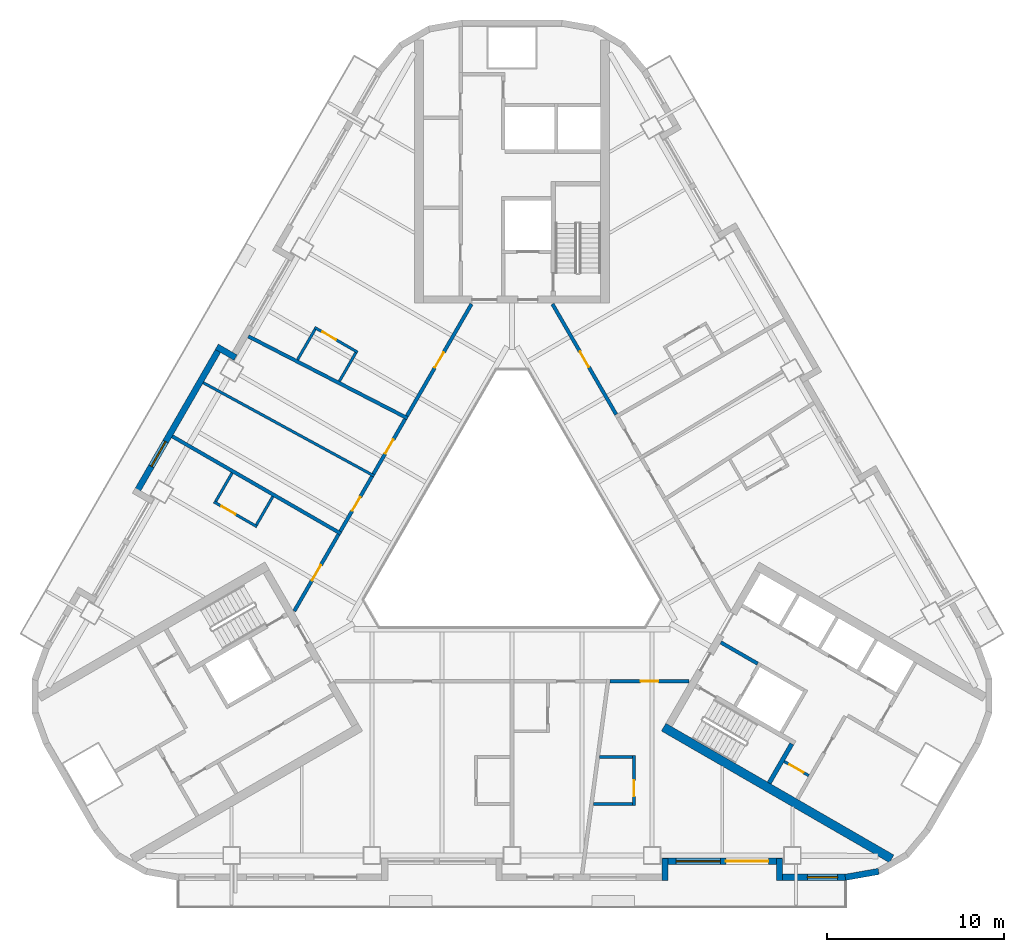
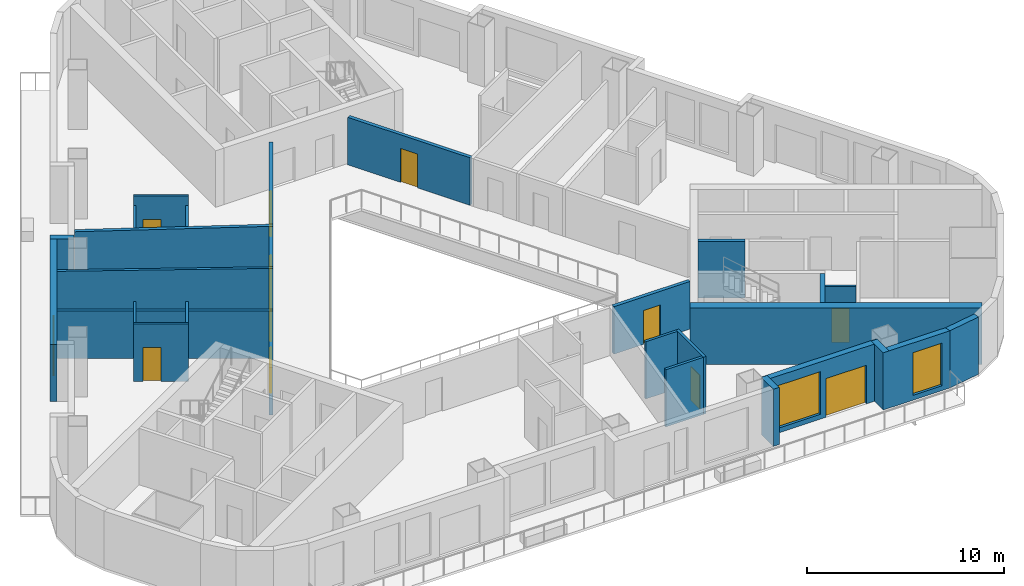
# One storey, part 4 of 13: 29 walls, 11 doors, 3 windows, 14 openings.
"""IFC4 building model written with IfcOpenShell, lengths in metres."""

from ifc_helpers import new_model, si_unit, direction, frame, frame_2d, origin, place, context, subcontext, project, spatial, rectangle, extrude, material, layer, layer_set, type_object, element, fill, save


model = new_model("IFC4")

# Units and contexts
model_context = context("Model", 3, precision=1e-05, world=origin(), true_north=direction((0.0, 1.0)))
body_context = subcontext(model_context, "Body", "Model", "MODEL_VIEW")
ifc_project = project(units=[si_unit("LENGTHUNIT", "METRE"), si_unit("AREAUNIT", "SQUARE_METRE"), si_unit("VOLUMEUNIT", "CUBIC_METRE"), si_unit("PLANEANGLEUNIT", "RADIAN"), si_unit("MASSUNIT", "GRAM", prefix="KILO")], contexts=[model_context])

# Site, building, storey
site_placement = place(None, origin())
site = spatial("IfcSite", under=ifc_project, at=site_placement, CompositionType="ELEMENT")
building_placement = place(site_placement, origin())
building = spatial("IfcBuilding", under=site, at=building_placement, Name="Apuvela Tower Hotel", CompositionType="ELEMENT")
storey_placement = place(building_placement, frame((0.0, 0.0, 65.0)))
storey = spatial("IfcBuildingStorey", under=building, at=storey_placement, Name="L13", CompositionType="ELEMENT", Elevation=65.0)

# Wall
ifc_material_1 = material(Name="Concrete C50/60", Category="concrete")
ifc_layer_1 = layer(ifc_material_1, 0.5)
ifc_layer_set_1 = layer_set([ifc_layer_1], Name="COR-WALL-CORE-500")
wall_type_1 = type_object("IfcWallType", Name="COR-WALL-CORE-500", PredefinedType="SHEAR", material=ifc_layer_set_1)
wall_1_placement = place(storey_placement, frame((8.546630859375, -10.99658203125, 0.0), z_axis=(0.0, 0.0, 1.0), x_axis=(0.866025009528, -0.500000682871, 0.0)))
element("IfcWall", 1, at=wall_1_placement, inside=storey, type_object=wall_type_1, Name="Core wall SE", PredefinedType="SHEAR", context=body_context, shape_type="SweptSolid", body=[
    extrude(rectangle(XDim=14.8369140625, YDim=0.5, at=frame_2d((7.41845703125, 0.0))), origin(), (0.0, 0.0, 1.0), 3.5),
])

# Wall, opening, door
ifc_material_2 = material(Name="Blockwork 150 mm plastered", Category="masonry")
ifc_layer_2 = layer(ifc_material_2, 0.14990234375)
ifc_layer_set_2 = layer_set([ifc_layer_2], Name="COR-WALL-PART-150")
wall_type_2 = type_object("IfcWallType", Name="COR-WALL-PART-150", PredefinedType="PARTITIONING", material=ifc_layer_set_2)
wall_2_placement = place(storey_placement, frame((15.341552734375, -12.927734375, 0.0), z_axis=(0.0, 0.0, 1.0), x_axis=(0.865989903783, -0.500061482766, 0.0)))
wall_2 = element("IfcWall", 2, at=wall_2_placement, inside=storey, type_object=wall_type_2, Name="Partition SE", PredefinedType="PARTITIONING", context=body_context, shape_type="SweptSolid", body=[
    extrude(rectangle(XDim=1.599853515625, YDim=0.14990234375, at=frame_2d((0.7998046875, 0.0))), origin(), (0.0, 0.0, 1.0), 3.5),
])
opening_1_placement = place(wall_2_placement, frame((0.35009765625, 0.0, 0.0)))
opening_1 = element("IfcOpeningElement", 3, at=opening_1_placement, cuts=wall_2, Name="Opening E-RD", PredefinedType="OPENING", context=body_context, shape_type="SweptSolid", body=[
    extrude(rectangle(XDim=0.89990234375, YDim=2.10009765625, at=frame_2d((0.449951171875, 1.050048828125))), frame((0.0, 0.0849609375, 0.0), z_axis=(0.0, -1.0, 0.0), x_axis=(1.0, 0.0, 0.0)), (0.0, 0.0, 1.0), 0.169921875),
])
ifc_material_3 = material(Name="Steel access door, powder coated", Category="steel")
door_type_1 = type_object("IfcDoorType", Name="COR-RD-900", OperationType="NOTDEFINED", PredefinedType="DOOR", material=ifc_material_3)
door_1_placement = place(opening_1_placement, frame((0.89990234375, 0.0, 0.0), z_axis=(0.0, 0.0, 1.0), x_axis=(-1.0, 0.0, 0.0)))
door_1 = element("IfcDoor", 4, at=door_1_placement, inside=storey, type_object=door_type_1, Name="Riser door E-RD", OperationType="SINGLE_SWING_LEFT", OverallHeight=2.10009765625, OverallWidth=0.89990234375, PredefinedType="DOOR", context=body_context, shape_type="SweptSolid", body=[
    extrude(rectangle(XDim=0.89990234375, YDim=2.10009765625, at=frame_2d((0.449951171875, 1.050048828125))), frame((0.0, 0.02490234375, 0.0), z_axis=(0.0, -1.0, 0.0), x_axis=(1.0, 0.0, 0.0)), (0.0, 0.0, 1.0), 0.050048828125),
])
fill(opening_1, door_1)

# Walls
ifc_layer_3 = layer(ifc_material_1, 0.199951171875)
ifc_layer_set_3 = layer_set([ifc_layer_3], Name="COR-WALL-SHAFT-200")
wall_type_3 = type_object("IfcWallType", Name="COR-WALL-SHAFT-200", PredefinedType="SHEAR", material=ifc_layer_set_3)
wall_3_placement = place(storey_placement, frame((11.76806640625, -6.217041015625, 0.0), z_axis=(0.0, 0.0, 1.0), x_axis=(0.866050077142, -0.499957262057, 0.0)))
element("IfcWall", 5, at=wall_3_placement, inside=storey, type_object=wall_type_3, Name="Shaft wall SE", PredefinedType="SHEAR", context=body_context, shape_type="SweptSolid", body=[
    extrude(rectangle(XDim=2.400146484375, YDim=0.199951171875, at=frame_2d((1.2001953125, 0.0))), origin(), (0.0, 0.0, 1.0), 3.5),
])
ifc_layer_4 = layer(ifc_material_1, 0.25)
ifc_layer_set_4 = layer_set([ifc_layer_4], Name="COR-WALL-STAIR-250")
wall_type_4 = type_object("IfcWallType", Name="COR-WALL-STAIR-250", PredefinedType="SHEAR", material=ifc_layer_set_4)
wall_4_placement = place(storey_placement, frame((14.49560546875, -14.142578125, 0.0), z_axis=(0.0, 0.0, 1.0), x_axis=(0.500062241894, 0.865989465428, 0.0)))
element("IfcWall", 6, at=wall_4_placement, inside=storey, type_object=wall_type_4, Name="Stair wall SE", PredefinedType="SHEAR", context=body_context, shape_type="SweptSolid", body=[
    extrude(rectangle(XDim=2.550048828125, YDim=0.25, at=frame_2d((1.27490234375, 0.0))), origin(), (0.0, 0.0, 1.0), 3.5),
])
ifc_material_4 = material(Name="Concrete C40/50, dark pigmented precast panel", Category="concrete")
ifc_layer_5 = layer(ifc_material_4, 0.35009765625)
ifc_layer_set_5 = layer_set([ifc_layer_5], Name="ENV-WALL-350")
wall_type_5 = type_object("IfcWallType", Name="ENV-WALL-350", PredefinedType="SOLIDWALL", material=ifc_layer_set_5)
wall_5_placement = place(storey_placement, frame((-15.580810546875, 9.8330078125, 0.0), z_axis=(0.0, 0.0, 1.0), x_axis=(-0.866055662726, 0.499947586314, 0.0)))
element("IfcWall", 7, at=wall_5_placement, inside=storey, type_object=wall_type_5, Name="External wall L13-04", PredefinedType="SOLIDWALL", context=body_context, shape_type="SweptSolid", body=[
    extrude(rectangle(XDim=1.220458984375, YDim=0.35009765625, at=frame_2d((0.6103515625, 0.0))), origin(), (0.0, 0.0, 1.0), 3.550048828125),
])

# Wall, opening, window
wall_6_placement = place(storey_placement, frame((-16.3984375, 10.507080078125, 0.0), z_axis=(0.0, 0.0, 1.0), x_axis=(-0.499999142773, -0.866025898704, 0.0)))
wall_6 = element("IfcWall", 8, at=wall_6_placement, inside=storey, type_object=wall_type_5, Name="External wall L13-05", PredefinedType="SOLIDWALL", context=body_context, shape_type="SweptSolid", body=[
    extrude(rectangle(XDim=9.7001953125, YDim=0.35009765625, at=frame_2d((4.85009765625, 0.0))), origin(), (0.0, 0.0, 1.0), 3.550048828125),
])
opening_2_placement = place(wall_6_placement, frame((6.25048828125, 0.0, 0.300048828125)))
opening_2 = element("IfcOpeningElement", 9, at=opening_2_placement, cuts=wall_6, Name="Opening WN16", PredefinedType="OPENING", context=body_context, shape_type="SweptSolid", body=[
    extrude(rectangle(XDim=1.60009765625, YDim=2.64990234375, at=frame_2d((0.800048828125, 1.324951171875))), frame((0.0, 0.18505859375, 0.0), z_axis=(0.0, -1.0, 0.0), x_axis=(1.0, 0.0, 0.0)), (0.0, 0.0, 1.0), 0.3701171875),
])
ifc_material_5 = material(Name="Glass, dark tinted laminated insulated glazing unit", Category="glass")
window_type_1 = type_object("IfcWindowType", Name="ENV-WIN-1600x2650", PartitioningType="SINGLE_PANEL", PredefinedType="WINDOW", material=ifc_material_5)
window_1_placement = place(opening_2_placement, origin())
window_1 = element("IfcWindow", 10, at=window_1_placement, inside=storey, type_object=window_type_1, Name="Window WN16", OverallHeight=2.64990234375, OverallWidth=1.60009765625, PartitioningType="SINGLE_PANEL", PredefinedType="WINDOW", context=body_context, shape_type="SweptSolid", body=[
    extrude(rectangle(XDim=1.60009765625, YDim=2.64990234375, at=frame_2d((0.800048828125, 1.324951171875))), frame((0.0, 0.030029296875, 0.0), z_axis=(0.0, -1.0, 0.0), x_axis=(1.0, 0.0, 0.0)), (0.0, 0.0, 1.0), 0.06005859375),
])
fill(opening_2, window_1)

# Wall
wall_7_placement = place(storey_placement, frame((8.625, -19.6298828125, 0.0), z_axis=(0.0, 0.0, 1.0), x_axis=(0.0, 1.0, 0.0)))
element("IfcWall", 11, at=wall_7_placement, inside=storey, type_object=wall_type_5, Name="External wall L13-22", PredefinedType="SOLIDWALL", context=body_context, shape_type="SweptSolid", body=[
    extrude(rectangle(XDim=1.219970703125, YDim=0.35009765625, at=frame_2d((0.60986328125, 0.0))), origin(), (0.0, 0.0, 1.0), 3.550048828125),
])

# Wall, openings, door, window
wall_8_placement = place(storey_placement, frame((8.47998046875, -18.554931640625, 0.0), z_axis=(0.0, 0.0, 1.0), x_axis=(1.0, 0.0, 0.0)))
wall_8 = element("IfcWall", 12, at=wall_8_placement, inside=storey, type_object=wall_type_5, Name="External wall L13-23", PredefinedType="SOLIDWALL", context=body_context, shape_type="SweptSolid", body=[
    extrude(rectangle(XDim=6.739990234375, YDim=0.35009765625, at=frame_2d((3.3701171875, 0.0))), origin(), (0.0, 0.0, 1.0), 3.550048828125),
])
opening_3_placement = place(wall_8_placement, frame((3.570068359375, 0.0, 0.0)))
opening_3 = element("IfcOpeningElement", 13, at=opening_3_placement, cuts=wall_8, Name="Opening BD24", PredefinedType="OPENING", context=body_context, shape_type="SweptSolid", body=[
    extrude(rectangle(XDim=2.39990234375, YDim=2.39990234375, at=frame_2d((1.199951171875, 1.199951171875))), frame((0.0, 0.18505859375, 0.0), z_axis=(0.0, -1.0, 0.0), x_axis=(1.0, 0.0, 0.0)), (0.0, 0.0, 1.0), 0.3701171875),
])
opening_4_placement = place(wall_8_placement, frame((0.77001953125, 0.0, 0.300048828125)))
opening_4 = element("IfcOpeningElement", 14, at=opening_4_placement, cuts=wall_8, Name="Opening WN25", PredefinedType="OPENING", context=body_context, shape_type="SweptSolid", body=[
    extrude(rectangle(XDim=2.5, YDim=2.64990234375, at=frame_2d((1.25, 1.324951171875))), frame((0.0, 0.18505859375, 0.0), z_axis=(0.0, -1.0, 0.0), x_axis=(1.0, 0.0, 0.0)), (0.0, 0.0, 1.0), 0.3701171875),
])
ifc_material_6 = material(Name="Aluminium 6063-T6, dark bronze anodised frame with dark tinted laminated glass", Category="aluminium")
door_type_2 = type_object("IfcDoorType", Name="ENV-DOOR-BALCONY-2400x2400", OperationType="SLIDING_TO_LEFT", PredefinedType="DOOR", material=ifc_material_6)
door_2_placement = place(opening_3_placement, frame((2.39990234375, 0.0, 0.0), z_axis=(0.0, 0.0, 1.0), x_axis=(-1.0, 0.0, 0.0)))
door_2 = element("IfcDoor", 15, at=door_2_placement, inside=storey, type_object=door_type_2, Name="Balcony door BD24", OperationType="SLIDING_TO_LEFT", OverallHeight=2.39990234375, OverallWidth=2.39990234375, PredefinedType="DOOR", context=body_context, shape_type="SweptSolid", body=[
    extrude(rectangle(XDim=2.39990234375, YDim=2.39990234375, at=frame_2d((1.199951171875, 1.199951171875))), frame((0.0, 0.02490234375, 0.0), z_axis=(0.0, -1.0, 0.0), x_axis=(1.0, 0.0, 0.0)), (0.0, 0.0, 1.0), 0.050048828125),
])
fill(opening_3, door_2)
window_type_2 = type_object("IfcWindowType", Name="ENV-WIN-2500x2650", PartitioningType="SINGLE_PANEL", PredefinedType="WINDOW", material=ifc_material_5)
window_2_placement = place(opening_4_placement, origin())
window_2 = element("IfcWindow", 16, at=window_2_placement, inside=storey, type_object=window_type_2, Name="Window WN25", OverallHeight=2.64990234375, OverallWidth=2.5, PartitioningType="SINGLE_PANEL", PredefinedType="WINDOW", context=body_context, shape_type="SweptSolid", body=[
    extrude(rectangle(XDim=2.5, YDim=2.64990234375, at=frame_2d((1.25, 1.324951171875))), frame((0.0, 0.030029296875, 0.0), z_axis=(0.0, -1.0, 0.0), x_axis=(1.0, 0.0, 0.0)), (0.0, 0.0, 1.0), 0.06005859375),
])
fill(opening_4, window_2)

# Wall
wall_9_placement = place(storey_placement, frame((15.074951171875, -18.409912109375, 0.0), z_axis=(0.0, 0.0, 1.0), x_axis=(0.0, -1.0, 0.0)))
element("IfcWall", 17, at=wall_9_placement, inside=storey, type_object=wall_type_5, Name="External wall L13-24", PredefinedType="SOLIDWALL", context=body_context, shape_type="SweptSolid", body=[
    extrude(rectangle(XDim=1.219970703125, YDim=0.35009765625, at=frame_2d((0.60986328125, 0.0))), origin(), (0.0, 0.0, 1.0), 3.550048828125),
])

# Wall, opening, window
wall_10_placement = place(storey_placement, frame((14.89990234375, -19.455078125, 0.0), z_axis=(0.0, 0.0, 1.0), x_axis=(1.0, 0.0, 0.0)))
wall_10 = element("IfcWall", 18, at=wall_10_placement, inside=storey, type_object=wall_type_5, Name="External wall L13-25", PredefinedType="SOLIDWALL", context=body_context, shape_type="SweptSolid", body=[
    extrude(rectangle(XDim=3.916015625, YDim=0.35009765625, at=frame_2d((1.9580078125, 0.0))), origin(), (0.0, 0.0, 1.0), 3.550048828125),
])
opening_5_placement = place(wall_10_placement, frame((1.749755859375, 0.0, 0.300048828125)))
opening_5 = element("IfcOpeningElement", 19, at=opening_5_placement, cuts=wall_10, Name="Opening WN17", PredefinedType="OPENING", context=body_context, shape_type="SweptSolid", body=[
    extrude(rectangle(XDim=1.699951171875, YDim=2.64990234375, at=frame_2d((0.85009765625, 1.324951171875))), frame((0.0, 0.18505859375, 0.0), z_axis=(0.0, -1.0, 0.0), x_axis=(1.0, 0.0, 0.0)), (0.0, 0.0, 1.0), 0.3701171875),
])
window_type_3 = type_object("IfcWindowType", Name="ENV-WIN-1700x2650", PartitioningType="SINGLE_PANEL", PredefinedType="WINDOW", material=ifc_material_5)
window_3_placement = place(opening_5_placement, origin())
window_3 = element("IfcWindow", 20, at=window_3_placement, inside=storey, type_object=window_type_3, Name="Window WN17", OverallHeight=2.64990234375, OverallWidth=1.699951171875, PartitioningType="SINGLE_PANEL", PredefinedType="WINDOW", context=body_context, shape_type="SweptSolid", body=[
    extrude(rectangle(XDim=1.699951171875, YDim=2.64990234375, at=frame_2d((0.85009765625, 1.324951171875))), frame((0.0, 0.030029296875, 0.0), z_axis=(0.0, -1.0, 0.0), x_axis=(1.0, 0.0, 0.0)), (0.0, 0.0, 1.0), 0.06005859375),
])
fill(opening_5, window_3)

# Walls
wall_11_placement = place(storey_placement, frame((18.785400390625, -19.457763671875, 0.0), z_axis=(0.0, 0.0, 1.0), x_axis=(0.984798995425, 0.173697837091, 0.0)))
element("IfcWall", 21, at=wall_11_placement, inside=storey, type_object=wall_type_5, Name="External wall L13-26", PredefinedType="SOLIDWALL", context=body_context, shape_type="SweptSolid", body=[
    extrude(rectangle(XDim=1.91015625, YDim=0.35009765625, at=frame_2d((0.955078125, 0.0))), origin(), (0.0, 0.0, 1.0), 3.550048828125),
])
ifc_material_7 = material(Name="Gypsum board partition on twin steel stud", Category="steel")
ifc_layer_6 = layer(ifc_material_7, 0.199951171875)
ifc_layer_set_6 = layer_set([ifc_layer_6], Name="GST-PW1")
wall_type_6 = type_object("IfcWallType", Name="GST-PW1", PredefinedType="PARTITIONING", material=ifc_layer_set_6)
wall_12_placement = place(storey_placement, frame((-14.855712890625, 11.02880859375, 0.0), z_axis=(0.0, 0.0, 1.0), x_axis=(0.889105841633, -0.457701652142, 0.0)))
element("IfcWall", 22, at=wall_12_placement, inside=storey, type_object=wall_type_6, Name="L13 partition 05", PredefinedType="PARTITIONING", context=body_context, shape_type="SweptSolid", body=[
    extrude(rectangle(XDim=10.091552734375, YDim=0.199951171875, at=frame_2d((5.0458984375, 0.0))), origin(), (0.0, 0.0, 1.0), 2.9599609375),
])
wall_13_placement = place(storey_placement, frame((-19.14697265625, 5.396484375, 0.0), z_axis=(0.0, 0.0, 1.0), x_axis=(0.866027479907, -0.499996404033, 0.0)))
element("IfcWall", 23, at=wall_13_placement, inside=storey, type_object=wall_type_6, Name="L13 partition 06", PredefinedType="PARTITIONING", context=body_context, shape_type="SweptSolid", body=[
    extrude(rectangle(XDim=10.97998046875, YDim=0.199951171875, at=frame_2d((5.489990234375, 0.0))), origin(), (0.0, 0.0, 1.0), 2.9599609375),
])

# Wall, opening, door
ifc_material_8 = material(Name="Gypsum board corridor wall on twin steel stud, acoustic", Category="steel")
ifc_layer_7 = layer(ifc_material_8, 0.199951171875)
ifc_layer_set_7 = layer_set([ifc_layer_7], Name="GST-PW2")
wall_type_7 = type_object("IfcWallType", Name="GST-PW2", PredefinedType="PARTITIONING", material=ifc_layer_set_7)
wall_14_placement = place(storey_placement, frame((9.98828125, -8.39990234375, 0.0), z_axis=(0.0, 0.0, 1.0), x_axis=(-1.0, 0.0, 0.0)))
wall_14 = element("IfcWall", 24, at=wall_14_placement, inside=storey, type_object=wall_type_7, Name="L13 partition 14", PredefinedType="PARTITIONING", context=body_context, shape_type="SweptSolid", body=[
    extrude(rectangle(XDim=4.473876953125, YDim=0.199951171875, at=frame_2d((2.23681640625, 0.0))), origin(), (0.0, 0.0, 1.0), 2.949951171875),
])
opening_6_placement = place(wall_14_placement, frame((1.73681640625, 0.0, 0.0)))
opening_6 = element("IfcOpeningElement", 25, at=opening_6_placement, cuts=wall_14, Name="Opening GD03-06", PredefinedType="OPENING", context=body_context, shape_type="SweptSolid", body=[
    extrude(rectangle(XDim=1.0, YDim=2.10009765625, at=frame_2d((0.5, 1.050048828125))), frame((0.0, 0.10986328125, 0.0), z_axis=(0.0, -1.0, 0.0), x_axis=(1.0, 0.0, 0.0)), (0.0, 0.0, 1.0), 0.219970703125),
])
ifc_material_9 = material(Name="Timber door leaf in steel frame", Category="steel")
door_type_3 = type_object("IfcDoorType", Name="GST-D1", OperationType="NOTDEFINED", PredefinedType="DOOR", material=ifc_material_9)
door_3_placement = place(opening_6_placement, origin())
door_3 = element("IfcDoor", 26, at=door_3_placement, inside=storey, type_object=door_type_3, Name="Door L13-06", OperationType="SINGLE_SWING_RIGHT", OverallHeight=2.10009765625, OverallWidth=1.0, PredefinedType="DOOR", context=body_context, shape_type="SweptSolid", body=[
    extrude(rectangle(XDim=1.0, YDim=2.10009765625, at=frame_2d((0.5, 1.050048828125))), frame((0.0, 0.02490234375, 0.0), z_axis=(0.0, -1.0, 0.0), x_axis=(1.0, 0.0, 0.0)), (0.0, 0.0, 1.0), 0.050048828125),
])
fill(opening_6, door_3)

wall_15_placement = place(storey_placement, frame((2.280517578125, 12.85009765625, 0.0), z_axis=(0.0, 0.0, 1.0), x_axis=(0.499992939664, -0.866029480033, 0.0)))
wall_15 = element("IfcWall", 27, at=wall_15_placement, inside=storey, type_object=wall_type_7, Name="L13 partition 25", PredefinedType="PARTITIONING", context=body_context, shape_type="SweptSolid", body=[
    extrude(rectangle(XDim=7.18798828125, YDim=0.199951171875, at=frame_2d((3.593994140625, 0.0))), origin(), (0.0, 0.0, 1.0), 2.949951171875),
])
opening_7_placement = place(wall_15_placement, frame((3.093994140625, 0.0, 0.0)))
opening_7 = element("IfcOpeningElement", 28, at=opening_7_placement, cuts=wall_15, Name="Opening GD03-12", PredefinedType="OPENING", context=body_context, shape_type="SweptSolid", body=[
    extrude(rectangle(XDim=1.0, YDim=2.10009765625, at=frame_2d((0.5, 1.050048828125))), frame((0.0, 0.10986328125, 0.0), z_axis=(0.0, -1.0, 0.0), x_axis=(1.0, 0.0, 0.0)), (0.0, 0.0, 1.0), 0.219970703125),
])
door_4_placement = place(opening_7_placement, origin())
door_4 = element("IfcDoor", 29, at=door_4_placement, inside=storey, type_object=door_type_3, Name="Door L13-12", OperationType="SINGLE_SWING_RIGHT", OverallHeight=2.10009765625, OverallWidth=1.0, PredefinedType="DOOR", context=body_context, shape_type="SweptSolid", body=[
    extrude(rectangle(XDim=1.0, YDim=2.10009765625, at=frame_2d((0.5, 1.050048828125))), frame((0.0, 0.02490234375, 0.0), z_axis=(0.0, -1.0, 0.0), x_axis=(1.0, 0.0, 0.0)), (0.0, 0.0, 1.0), 0.050048828125),
])
fill(opening_7, door_4)

wall_16_placement = place(storey_placement, frame((-5.922119140625, 6.54248046875, 0.0), z_axis=(0.0, 0.0, 1.0), x_axis=(0.499989401968, 0.866031522475, 0.0)))
wall_16 = element("IfcWall", 30, at=wall_16_placement, inside=storey, type_object=wall_type_7, Name="L13 partition 29", PredefinedType="PARTITIONING", context=body_context, shape_type="SweptSolid", body=[
    extrude(rectangle(XDim=7.283447265625, YDim=0.199951171875, at=frame_2d((3.6416015625, 0.0))), origin(), (0.0, 0.0, 1.0), 2.949951171875),
])
opening_8_placement = place(wall_16_placement, frame((3.1416015625, 0.0, 0.0)))
opening_8 = element("IfcOpeningElement", 31, at=opening_8_placement, cuts=wall_16, Name="Opening GD03-14", PredefinedType="OPENING", context=body_context, shape_type="SweptSolid", body=[
    extrude(rectangle(XDim=1.0, YDim=2.10009765625, at=frame_2d((0.5, 1.050048828125))), frame((0.0, 0.10986328125, 0.0), z_axis=(0.0, -1.0, 0.0), x_axis=(1.0, 0.0, 0.0)), (0.0, 0.0, 1.0), 0.219970703125),
])
door_5_placement = place(opening_8_placement, origin())
door_5 = element("IfcDoor", 32, at=door_5_placement, inside=storey, type_object=door_type_3, Name="Door L13-14", OperationType="SINGLE_SWING_LEFT", OverallHeight=2.10009765625, OverallWidth=1.0, PredefinedType="DOOR", context=body_context, shape_type="SweptSolid", body=[
    extrude(rectangle(XDim=1.0, YDim=2.10009765625, at=frame_2d((0.5, 1.050048828125))), frame((0.0, 0.02490234375, 0.0), z_axis=(0.0, -1.0, 0.0), x_axis=(1.0, 0.0, 0.0)), (0.0, 0.0, 1.0), 0.050048828125),
])
fill(opening_8, door_5)

wall_17_placement = place(storey_placement, frame((-7.810791015625, 3.27099609375, 0.0), z_axis=(0.0, 0.0, 1.0), x_axis=(0.4999705729, 0.866042392862, 0.0)))
wall_17 = element("IfcWall", 33, at=wall_17_placement, inside=storey, type_object=wall_type_7, Name="L13 partition 34", PredefinedType="PARTITIONING", context=body_context, shape_type="SweptSolid", body=[
    extrude(rectangle(XDim=3.577392578125, YDim=0.199951171875, at=frame_2d((1.78857421875, 0.0))), origin(), (0.0, 0.0, 1.0), 2.949951171875),
])
opening_9_placement = place(wall_17_placement, frame((1.338623046875, 0.0, 0.0)))
opening_9 = element("IfcOpeningElement", 34, at=opening_9_placement, cuts=wall_17, Name="Opening GD03-15", PredefinedType="OPENING", context=body_context, shape_type="SweptSolid", body=[
    extrude(rectangle(XDim=0.89990234375, YDim=2.10009765625, at=frame_2d((0.449951171875, 1.050048828125))), frame((0.0, 0.10986328125, 0.0), z_axis=(0.0, -1.0, 0.0), x_axis=(1.0, 0.0, 0.0)), (0.0, 0.0, 1.0), 0.219970703125),
])
door_type_4 = type_object("IfcDoorType", Name="GST-D2", OperationType="NOTDEFINED", PredefinedType="DOOR", material=ifc_material_9)
door_6_placement = place(opening_9_placement, origin())
door_6 = element("IfcDoor", 35, at=door_6_placement, inside=storey, type_object=door_type_4, Name="Door L13-15", OperationType="SINGLE_SWING_LEFT", OverallHeight=2.10009765625, OverallWidth=0.89990234375, PredefinedType="DOOR", context=body_context, shape_type="SweptSolid", body=[
    extrude(rectangle(XDim=0.89990234375, YDim=2.10009765625, at=frame_2d((0.449951171875, 1.050048828125))), frame((0.0, 0.02490234375, 0.0), z_axis=(0.0, -1.0, 0.0), x_axis=(1.0, 0.0, 0.0)), (0.0, 0.0, 1.0), 0.050048828125),
])
fill(opening_9, door_6)

wall_18_placement = place(storey_placement, frame((-9.674560546875, 0.043212890625, 0.0), z_axis=(0.0, 0.0, 1.0), x_axis=(0.500000124603, 0.866025331845, 0.0)))
wall_18 = element("IfcWall", 36, at=wall_18_placement, inside=storey, type_object=wall_type_7, Name="L13 partition 35", PredefinedType="PARTITIONING", context=body_context, shape_type="SweptSolid", body=[
    extrude(rectangle(XDim=3.5771484375, YDim=0.199951171875, at=frame_2d((1.78857421875, 0.0))), origin(), (0.0, 0.0, 1.0), 2.949951171875),
])
opening_10_placement = place(wall_18_placement, frame((1.338623046875, 0.0, 0.0)))
opening_10 = element("IfcOpeningElement", 37, at=opening_10_placement, cuts=wall_18, Name="Opening GD03-16", PredefinedType="OPENING", context=body_context, shape_type="SweptSolid", body=[
    extrude(rectangle(XDim=0.89990234375, YDim=2.10009765625, at=frame_2d((0.449951171875, 1.050048828125))), frame((0.0, 0.10986328125, 0.0), z_axis=(0.0, -1.0, 0.0), x_axis=(1.0, 0.0, 0.0)), (0.0, 0.0, 1.0), 0.219970703125),
])
door_7_placement = place(opening_10_placement, origin())
door_7 = element("IfcDoor", 38, at=door_7_placement, inside=storey, type_object=door_type_4, Name="Door L13-16", OperationType="SINGLE_SWING_RIGHT", OverallHeight=2.10009765625, OverallWidth=0.89990234375, PredefinedType="DOOR", context=body_context, shape_type="SweptSolid", body=[
    extrude(rectangle(XDim=0.89990234375, YDim=2.10009765625, at=frame_2d((0.449951171875, 1.050048828125))), frame((0.0, 0.02490234375, 0.0), z_axis=(0.0, -1.0, 0.0), x_axis=(1.0, 0.0, 0.0)), (0.0, 0.0, 1.0), 0.050048828125),
])
fill(opening_10, door_7)

wall_19_placement = place(storey_placement, frame((-12.268798828125, -4.449951171875, 0.0), z_axis=(0.0, 0.0, 1.0), x_axis=(0.500013374061, 0.866017682129, 0.0)))
wall_19 = element("IfcWall", 39, at=wall_19_placement, inside=storey, type_object=wall_type_7, Name="L13 partition 36", PredefinedType="PARTITIONING", context=body_context, shape_type="SweptSolid", body=[
    extrude(rectangle(XDim=4.988037109375, YDim=0.199951171875, at=frame_2d((2.494140625, 0.0))), origin(), (0.0, 0.0, 1.0), 2.949951171875),
])
opening_11_placement = place(wall_19_placement, frame((1.994140625, 0.0, 0.0)))
opening_11 = element("IfcOpeningElement", 40, at=opening_11_placement, cuts=wall_19, Name="Opening GD03-18", PredefinedType="OPENING", context=body_context, shape_type="SweptSolid", body=[
    extrude(rectangle(XDim=1.0, YDim=2.10009765625, at=frame_2d((0.5, 1.050048828125))), frame((0.0, 0.10986328125, 0.0), z_axis=(0.0, -1.0, 0.0), x_axis=(1.0, 0.0, 0.0)), (0.0, 0.0, 1.0), 0.219970703125),
])
door_8_placement = place(opening_11_placement, origin())
door_8 = element("IfcDoor", 41, at=door_8_placement, inside=storey, type_object=door_type_3, Name="Door L13-18", OperationType="SINGLE_SWING_RIGHT", OverallHeight=2.10009765625, OverallWidth=1.0, PredefinedType="DOOR", context=body_context, shape_type="SweptSolid", body=[
    extrude(rectangle(XDim=1.0, YDim=2.10009765625, at=frame_2d((0.5, 1.050048828125))), frame((0.0, 0.02490234375, 0.0), z_axis=(0.0, -1.0, 0.0), x_axis=(1.0, 0.0, 0.0)), (0.0, 0.0, 1.0), 0.050048828125),
])
fill(opening_11, door_8)

ifc_material_10 = material(Name="Moisture-resistant gypsum board wet wall on steel stud", Category="steel")
ifc_layer_8 = layer(ifc_material_10, 0.14990234375)
ifc_layer_set_8 = layer_set([ifc_layer_8], Name="GST-PW3")
wall_type_8 = type_object("IfcWallType", Name="GST-PW3", PredefinedType="PARTITIONING", material=ifc_layer_set_8)
wall_20_placement = place(storey_placement, frame((6.87451171875, -15.39990234375, 0.0), z_axis=(0.0, 0.0, 1.0), x_axis=(0.0, 1.0, 0.0)))
wall_20 = element("IfcWall", 42, at=wall_20_placement, inside=storey, type_object=wall_type_8, Name="L13 partition 15", PredefinedType="PARTITIONING", context=body_context, shape_type="SweptSolid", body=[
    extrude(rectangle(XDim=2.7998046875, YDim=0.14990234375, at=frame_2d((1.39990234375, 0.0))), origin(), (0.0, 0.0, 1.0), 3.550048828125),
])
opening_12_placement = place(wall_20_placement, frame((0.5, 0.0, 0.0)))
opening_12 = element("IfcOpeningElement", 43, at=opening_12_placement, cuts=wall_20, Name="Opening GD03-05", PredefinedType="OPENING", context=body_context, shape_type="SweptSolid", body=[
    extrude(rectangle(XDim=0.89990234375, YDim=2.10009765625, at=frame_2d((0.449951171875, 1.050048828125))), frame((0.0, 0.0849609375, 0.0), z_axis=(0.0, -1.0, 0.0), x_axis=(1.0, 0.0, 0.0)), (0.0, 0.0, 1.0), 0.169921875),
])
door_9_placement = place(opening_12_placement, origin())
door_9 = element("IfcDoor", 44, at=door_9_placement, inside=storey, type_object=door_type_4, Name="Door L13-05", OperationType="SINGLE_SWING_LEFT", OverallHeight=2.10009765625, OverallWidth=0.89990234375, PredefinedType="DOOR", context=body_context, shape_type="SweptSolid", body=[
    extrude(rectangle(XDim=0.89990234375, YDim=2.10009765625, at=frame_2d((0.449951171875, 1.050048828125))), frame((0.0, 0.02490234375, 0.0), z_axis=(0.0, -1.0, 0.0), x_axis=(1.0, 0.0, 0.0)), (0.0, 0.0, 1.0), 0.050048828125),
])
fill(opening_12, door_9)

# Walls
wall_21_placement = place(storey_placement, frame((4.5830078125, -15.324951171875, 0.0), z_axis=(0.0, 0.0, 1.0), x_axis=(1.0, 0.0, 0.0)))
element("IfcWall", 45, at=wall_21_placement, inside=storey, type_object=wall_type_8, Name="L13 partition 16", PredefinedType="PARTITIONING", context=body_context, shape_type="SweptSolid", body=[
    extrude(rectangle(XDim=2.21630859375, YDim=0.14990234375, at=frame_2d((1.108154296875, 0.0))), origin(), (0.0, 0.0, 1.0), 3.550048828125),
])
wall_22_placement = place(storey_placement, frame((4.939208984375, -12.675048828125, 0.0), z_axis=(0.0, 0.0, 1.0), x_axis=(1.0, 0.0, 0.0)))
element("IfcWall", 46, at=wall_22_placement, inside=storey, type_object=wall_type_8, Name="L13 partition 17", PredefinedType="PARTITIONING", context=body_context, shape_type="SweptSolid", body=[
    extrude(rectangle(XDim=1.860107421875, YDim=0.14990234375, at=frame_2d((0.93017578125, 0.0))), origin(), (0.0, 0.0, 1.0), 3.550048828125),
])

# Wall, opening, door
wall_23_placement = place(storey_placement, frame((-8.6982421875, 10.13427734375, 0.0), z_axis=(0.0, 0.0, 1.0), x_axis=(-0.866034573852, 0.49998411664, 0.0)))
wall_23 = element("IfcWall", 47, at=wall_23_placement, inside=storey, type_object=wall_type_8, Name="L13 partition 30", PredefinedType="PARTITIONING", context=body_context, shape_type="SweptSolid", body=[
    extrude(rectangle(XDim=2.7998046875, YDim=0.14990234375, at=frame_2d((1.39990234375, 0.0))), origin(), (0.0, 0.0, 1.0), 3.550048828125),
])
opening_13_placement = place(wall_23_placement, frame((1.39990234375, 0.0, 0.0)))
opening_13 = element("IfcOpeningElement", 48, at=opening_13_placement, cuts=wall_23, Name="Opening GD03-13", PredefinedType="OPENING", context=body_context, shape_type="SweptSolid", body=[
    extrude(rectangle(XDim=0.89990234375, YDim=2.10009765625, at=frame_2d((0.449951171875, 1.050048828125))), frame((0.0, 0.0849609375, 0.0), z_axis=(0.0, -1.0, 0.0), x_axis=(1.0, 0.0, 0.0)), (0.0, 0.0, 1.0), 0.169921875),
])
door_10_placement = place(opening_13_placement, origin())
door_10 = element("IfcDoor", 49, at=door_10_placement, inside=storey, type_object=door_type_4, Name="Door L13-13", OperationType="SINGLE_SWING_RIGHT", OverallHeight=2.10009765625, OverallWidth=0.89990234375, PredefinedType="DOOR", context=body_context, shape_type="SweptSolid", body=[
    extrude(rectangle(XDim=0.89990234375, YDim=2.10009765625, at=frame_2d((0.449951171875, 1.050048828125))), frame((0.0, 0.02490234375, 0.0), z_axis=(0.0, -1.0, 0.0), x_axis=(1.0, 0.0, 0.0)), (0.0, 0.0, 1.0), 0.050048828125),
])
fill(opening_13, door_10)

# Walls
wall_24_placement = place(storey_placement, frame((-11.095703125, 11.431640625, 0.0), z_axis=(0.0, 0.0, 1.0), x_axis=(-0.500035331196, -0.866005004348, 0.0)))
element("IfcWall", 50, at=wall_24_placement, inside=storey, type_object=wall_type_8, Name="L13 partition 31", PredefinedType="PARTITIONING", context=body_context, shape_type="SweptSolid", body=[
    extrude(rectangle(XDim=1.981201171875, YDim=0.14990234375, at=frame_2d((0.99072265625, 0.0))), origin(), (0.0, 0.0, 1.0), 2.949951171875),
])
wall_25_placement = place(storey_placement, frame((-8.80078125, 10.106689453125, 0.0), z_axis=(0.0, 0.0, 1.0), x_axis=(-0.499992292652, -0.866029853578, 0.0)))
element("IfcWall", 51, at=wall_25_placement, inside=storey, type_object=wall_type_8, Name="L13 partition 32", PredefinedType="PARTITIONING", context=body_context, shape_type="SweptSolid", body=[
    extrude(rectangle(XDim=1.853515625, YDim=0.14990234375, at=frame_2d((0.9267578125, 0.0))), origin(), (0.0, 0.0, 1.0), 2.949951171875),
])
wall_26_placement = place(storey_placement, frame((-17.402099609375, 8.4189453125, 0.0), z_axis=(0.0, 0.0, 1.0), x_axis=(0.877831004422, -0.47897048727, 0.0)))
element("IfcWall", 52, at=wall_26_placement, inside=storey, type_object=wall_type_8, Name="L13 partition 33", PredefinedType="PARTITIONING", context=body_context, shape_type="SweptSolid", body=[
    extrude(rectangle(XDim=10.9833984375, YDim=0.14990234375, at=frame_2d((5.49169921875, 0.0))), origin(), (0.0, 0.0, 1.0), 2.9599609375),
])

# Wall, opening, door
wall_27_placement = place(storey_placement, frame((-16.79931640625, 1.702880859375, 0.0), z_axis=(0.0, 0.0, 1.0), x_axis=(0.865996816683, -0.500049511043, 0.0)))
wall_27 = element("IfcWall", 53, at=wall_27_placement, inside=storey, type_object=wall_type_8, Name="L13 partition 37", PredefinedType="PARTITIONING", context=body_context, shape_type="SweptSolid", body=[
    extrude(rectangle(XDim=2.800048828125, YDim=0.14990234375, at=frame_2d((1.39990234375, 0.0))), origin(), (0.0, 0.0, 1.0), 3.550048828125),
])
opening_14_placement = place(wall_27_placement, frame((0.5, 0.0, 0.0)))
opening_14 = element("IfcOpeningElement", 54, at=opening_14_placement, cuts=wall_27, Name="Opening GD03-17", PredefinedType="OPENING", context=body_context, shape_type="SweptSolid", body=[
    extrude(rectangle(XDim=0.89990234375, YDim=2.10009765625, at=frame_2d((0.449951171875, 1.050048828125))), frame((0.0, 0.0849609375, 0.0), z_axis=(0.0, -1.0, 0.0), x_axis=(1.0, 0.0, 0.0)), (0.0, 0.0, 1.0), 0.169921875),
])
door_11_placement = place(opening_14_placement, origin())
door_11 = element("IfcDoor", 55, at=door_11_placement, inside=storey, type_object=door_type_4, Name="Door L13-17", OperationType="SINGLE_SWING_LEFT", OverallHeight=2.10009765625, OverallWidth=0.89990234375, PredefinedType="DOOR", context=body_context, shape_type="SweptSolid", body=[
    extrude(rectangle(XDim=0.89990234375, YDim=2.10009765625, at=frame_2d((0.449951171875, 1.050048828125))), frame((0.0, 0.02490234375, 0.0), z_axis=(0.0, -1.0, 0.0), x_axis=(1.0, 0.0, 0.0)), (0.0, 0.0, 1.0), 0.050048828125),
])
fill(opening_14, door_11)

# Walls
wall_28_placement = place(storey_placement, frame((-15.771728515625, 3.33251953125, 0.0), z_axis=(0.0, 0.0, 1.0), x_axis=(-0.499985172903, -0.866033964044, 0.0)))
element("IfcWall", 56, at=wall_28_placement, inside=storey, type_object=wall_type_8, Name="L13 partition 38", PredefinedType="PARTITIONING", context=body_context, shape_type="SweptSolid", body=[
    extrude(rectangle(XDim=1.85009765625, YDim=0.14990234375, at=frame_2d((0.925048828125, 0.0))), origin(), (0.0, 0.0, 1.0), 3.550048828125),
])
wall_29_placement = place(storey_placement, frame((-13.476806640625, 2.00732421875, 0.0), z_axis=(0.0, 0.0, 1.0), x_axis=(-0.500042316284, -0.866000971088, 0.0)))
element("IfcWall", 57, at=wall_29_placement, inside=storey, type_object=wall_type_8, Name="L13 partition 39", PredefinedType="PARTITIONING", context=body_context, shape_type="SweptSolid", body=[
    extrude(rectangle(XDim=1.849853515625, YDim=0.14990234375, at=frame_2d((0.9248046875, 0.0))), origin(), (0.0, 0.0, 1.0), 3.550048828125),
])

save(model, "model.ifc")
